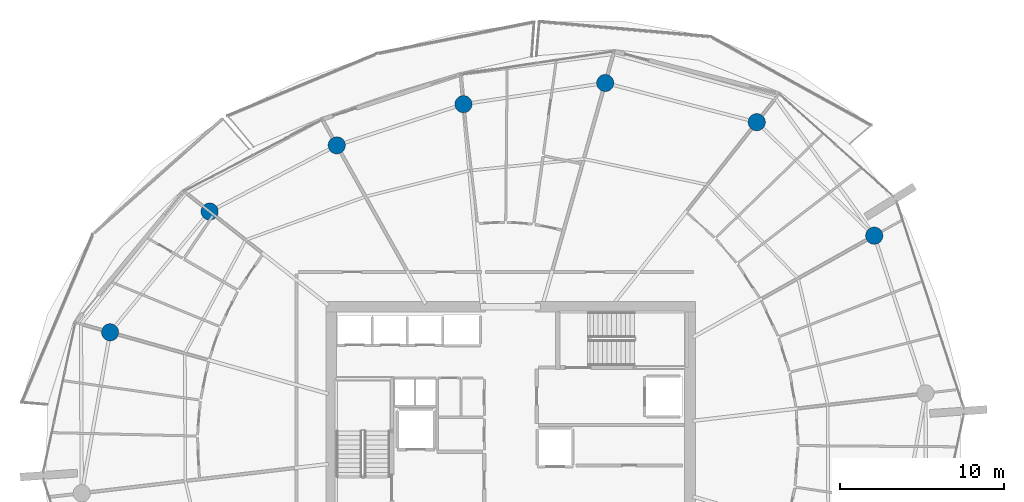
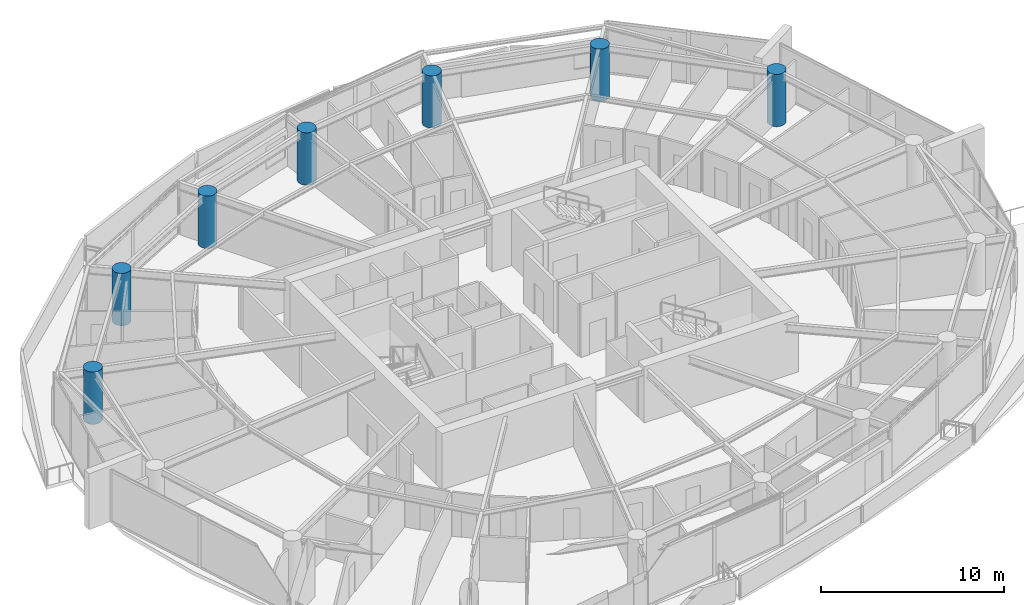
# One storey, part 4 of 21: 7 columns.
"""IFC4 building model written with IfcOpenShell, lengths in metres."""

from ifc_helpers import new_model, si_unit, direction, frame, origin, origin_2d, place, context, subcontext, project, spatial, circle, extrude, material, material_profile, profile_set, type_object, element, save


model = new_model("IFC4")

# Units and contexts
model_context = context("Model", 3, precision=1e-05, world=origin(), true_north=direction((0.0, 1.0)))
body_context = subcontext(model_context, "Body", "Model", "MODEL_VIEW")
ifc_project = project(units=[si_unit("LENGTHUNIT", "METRE"), si_unit("AREAUNIT", "SQUARE_METRE"), si_unit("VOLUMEUNIT", "CUBIC_METRE"), si_unit("PLANEANGLEUNIT", "RADIAN"), si_unit("MASSUNIT", "GRAM", prefix="KILO")], contexts=[model_context])

# Site, building, storey
site_placement = place(None, origin())
site = spatial("IfcSite", under=ifc_project, at=site_placement, CompositionType="ELEMENT")
building_placement = place(site_placement, origin())
building = spatial("IfcBuilding", under=site, at=building_placement, Name="Kazma Halo Residences", CompositionType="ELEMENT")
storey_placement = place(building_placement, frame((0.0, 0.0, 180.300048828125)))
storey = spatial("IfcBuildingStorey", under=building, at=storey_placement, Name="L45", CompositionType="ELEMENT", Elevation=180.300048828125)

# Columns
ifc_material = material(Name="Concrete C80/95", Category="concrete")
ifc_material_profile = material_profile(ifc_material, circle(Radius=0.52490234375, at=origin_2d()), Name="CIRC1050")
ifc_profile_set = profile_set([ifc_material_profile], Name="Concrete C80/95")
column_type = type_object("IfcColumnType", Name="COL-PERIM-1050", PredefinedType="COLUMN", material=ifc_profile_set)
for number, where, z_axis, x_axis, name in (
    (1, (70.625, 54.670654296875, 0.0), (0.0, 0.0, 1.0), (1.0, 0.0, 0.0), "L45 perimeter ring column P01"),
    (2, (63.45068359375, 61.598876953125, 0.0), (0.0, 0.0, 1.0), (1.0, 0.0, 0.0), "L45 perimeter ring column P02"),
    (3, (54.202392578125, 63.99169921875, 0.0), (0.0, 0.0, 1.0), (1.0, 0.0, 0.0), "L45 perimeter ring column P03"),
    (4, (45.550048828125, 62.69970703125, 0.0), (0.0, 0.0, 1.0), (1.0, 0.0, 0.0), "L45 perimeter ring column P04"),
    (5, (37.815185546875, 60.186279296875, 0.0), (0.0, 0.0, 1.0), (1.0, 0.0, 0.0), "L45 perimeter ring column P05"),
    (6, (30.055908203125, 56.14599609375, 0.0), (0.0, 0.0, 1.0), (1.0, 0.0, 0.0), "L45 perimeter ring column P06"),
    (7, (23.980224609375, 48.7744140625, 0.0), (0.0, 0.0, 1.0), (1.0, 0.0, 0.0), "L45 perimeter ring column P07"),
):
    element("IfcColumn", number, at=place(storey_placement, frame(where, z_axis=z_axis, x_axis=x_axis)), inside=storey, type_object=column_type, Name=name, PredefinedType="COLUMN", context=body_context, shape_type="SweptSolid", body=[
        extrude(circle(Radius=0.52490234375, at=origin_2d()), origin(), (0.0, 0.0, 1.0), 3.5),
    ])

save(model, "model.ifc")
